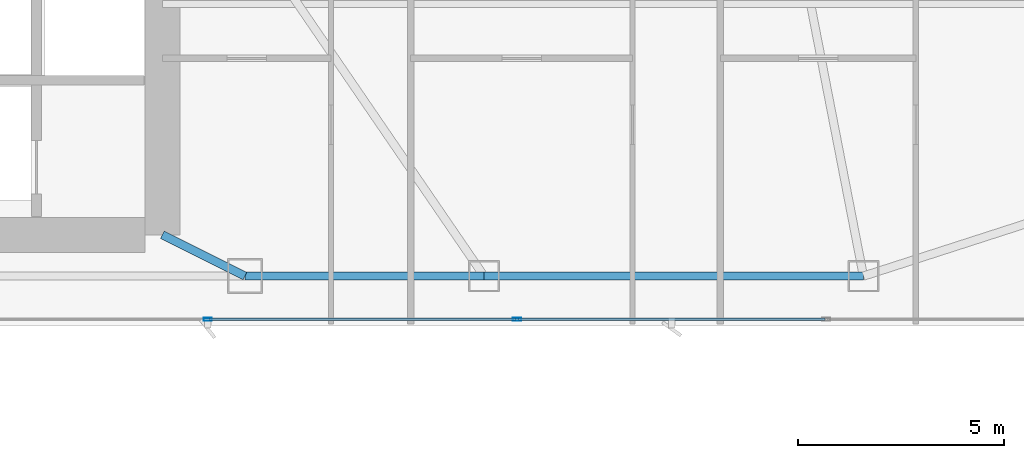
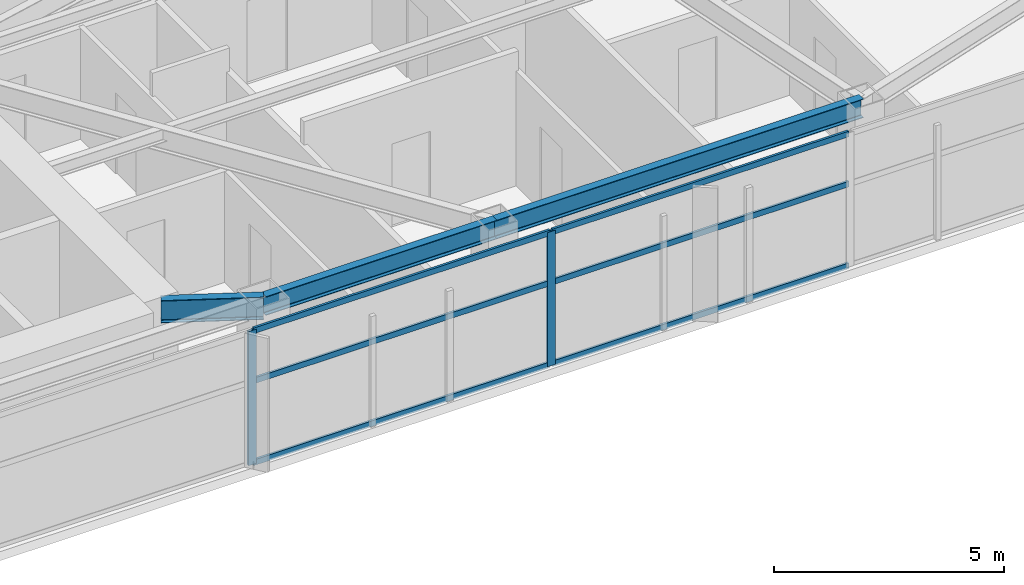
# One storey, part 12 of 28: 8 members, 3 beams, 1 element without a shape of its own.
"""IFC4 building model written with IfcOpenShell, lengths in metres."""

import ifcopenshell
import ifcopenshell.guid

model = None  # the IFC model being written
_history = None  # IfcOwnerHistory: only IFC2X3 demands one
_inside = {}  # id of a spatial element -> (the spatial element, [elements in it])
_under = {}  # id of a project, library or spatial element -> (it, [spatial elements below it])
_declared = {}  # id of a project -> (the project, [libraries it declares])
_typed = {}  # id of a type object -> (the type object, [elements of that type])
_made_of = {}  # id of a material, layer set ... -> (it, [elements and type objects made of it])


def new_model(schema):
    """Start an empty IFC model of exactly this schema.

    Asked for "IFC4X3", IfcOpenShell would pick the latest addendum, in which some entities
    have other attributes; the version numbers below select the first issue.
    IFC2X3 requires an IfcOwnerHistory on every rooted entity: one is made here for all.
    """
    global model, _history
    if schema == "IFC4X3":
        model = ifcopenshell.file(schema_version=(4, 3, 0, 0))
    else:
        model = ifcopenshell.file(schema=schema)
    _inside.clear()
    _under.clear()
    _declared.clear()
    _typed.clear()
    _made_of.clear()
    _history = None
    if model.schema == "IFC2X3":
        org = make("IfcOrganization", Name="unknown")
        user = make(
            "IfcPersonAndOrganization",
            ThePerson=make("IfcPerson", FamilyName="unknown"),
            TheOrganization=org,
        )
        app = make(
            "IfcApplication",
            ApplicationDeveloper=org,
            Version="unknown",
            ApplicationFullName="unknown",
            ApplicationIdentifier="unknown",
        )
        _history = make(
            "IfcOwnerHistory",
            OwningUser=user,
            OwningApplication=app,
            ChangeAction="ADDED",
            CreationDate=0,
        )
    return model


def make(cls, **values):
    """One entity of the class cls with the attributes given. An attribute that is None is left unset."""
    return model.create_entity(
        cls, **{name: value for name, value in values.items() if value is not None}
    )


def rooted(cls, **values):
    """An entity with a GlobalId (a new one), such as an element, a storey or a relation."""
    return make(cls, GlobalId=ifcopenshell.guid.new(), OwnerHistory=_history, **values)


def si_unit(unit_type, name, prefix=None):
    """IfcSIUnit, for example si_unit("LENGTHUNIT", "METRE", prefix="MILLI")."""
    return make("IfcSIUnit", UnitType=unit_type, Prefix=prefix, Name=name)


def assignment(units):
    """IfcUnitAssignment: the units of a project."""
    return None if units is None else make("IfcUnitAssignment", Units=units)


def point(xyz):
    """IfcCartesianPoint."""
    return None if xyz is None else make("IfcCartesianPoint", Coordinates=xyz)


def direction(xyz):
    """IfcDirection."""
    return None if xyz is None else make("IfcDirection", DirectionRatios=xyz)


def frame(location, z_axis=None, x_axis=None):
    """IfcAxis2Placement3D, a coordinate frame: its origin and axes. An axis left out is left unset."""
    return make(
        "IfcAxis2Placement3D",
        Location=point(location),
        Axis=direction(z_axis),
        RefDirection=direction(x_axis),
    )


def frame_2d(location, x_axis=None):
    """IfcAxis2Placement2D, a coordinate frame in the plane: its origin and x axis."""
    return make(
        "IfcAxis2Placement2D", Location=point(location), RefDirection=direction(x_axis)
    )


def origin():
    """The frame at (0, 0, 0) with its axes left unset."""
    return frame((0.0, 0.0, 0.0))


def origin_2d():
    """The frame at (0, 0) in the plane with its x axis left unset."""
    return frame_2d((0.0, 0.0))


def place(relative_to, where):
    """IfcLocalPlacement: puts the frame where relative to a parent placement (None: the world)."""
    return make(
        "IfcLocalPlacement", PlacementRelTo=relative_to, RelativePlacement=where
    )


def context(
    kind, dimensions, precision=None, world=None, true_north=None, identifier=None
):
    """IfcGeometricRepresentationContext, for example the 3D "Model" context."""
    return make(
        "IfcGeometricRepresentationContext",
        ContextIdentifier=identifier,
        ContextType=kind,
        CoordinateSpaceDimension=dimensions,
        Precision=precision,
        WorldCoordinateSystem=world,
        TrueNorth=true_north,
    )


def subcontext(parent, identifier, kind, view, scale=None):
    """IfcGeometricRepresentationSubContext, for example "Body" below "Model"."""
    return make(
        "IfcGeometricRepresentationSubContext",
        ContextIdentifier=identifier,
        ContextType=kind,
        ParentContext=parent,
        TargetScale=scale,
        TargetView=view,
    )


def project(units=None, contexts=None):
    """IfcProject with its units and contexts."""
    return rooted(
        "IfcProject",
        Name="project",
        RepresentationContexts=contexts,
        UnitsInContext=assignment(units),
    )


def spatial(cls, under=None, at=None, **own):
    """A site, building, storey or space (cls), placed at a placement, below another one or the project."""
    s = rooted(cls, ObjectPlacement=at, **own)
    if under is not None:
        _under.setdefault(under.id(), (under, []))[1].append(s)
    return s


def profile(cls, at=None, kind="AREA", **sizes):
    """A parametric profile (cls). Its sizes go by their IFC names, for example OverallWidth=200.0."""
    return make(cls, ProfileType=kind, Position=at, **sizes)


def hollow_rectangle(**sizes):
    """IfcRectangleHollowProfileDef."""
    return profile("IfcRectangleHollowProfileDef", **sizes)


def i_section(**sizes):
    """IfcIShapeProfileDef."""
    return profile("IfcIShapeProfileDef", **sizes)


def extrude(swept, where, along, depth):
    """IfcExtrudedAreaSolid: the profile swept, set in the frame where, extruded along a direction by depth."""
    return make(
        "IfcExtrudedAreaSolid",
        SweptArea=swept,
        Position=where,
        ExtrudedDirection=direction(along),
        Depth=depth,
    )


def shape(context_of_items, identifier, shape_type, items):
    """IfcShapeRepresentation: the items that make up one representation, for example the "Body"."""
    return make(
        "IfcShapeRepresentation",
        ContextOfItems=context_of_items,
        RepresentationIdentifier=identifier,
        RepresentationType=shape_type,
        Items=items,
    )


def material(Name=None, Category=None):
    """IfcMaterial."""
    return make("IfcMaterial", Name=Name, Category=Category)


def layer(
    of_material, thickness, ventilated=None, Name=None, Category=None, Priority=None
):
    """IfcMaterialLayer: one layer of a wall or slab, of a material (None: an air gap)."""
    return make(
        "IfcMaterialLayer",
        Material=of_material,
        LayerThickness=thickness,
        IsVentilated=ventilated,
        Name=Name,
        Category=Category,
        Priority=Priority,
    )


def layer_set(layers, Name=None):
    """IfcMaterialLayerSet."""
    return make("IfcMaterialLayerSet", MaterialLayers=layers, LayerSetName=Name)


def material_profile(
    of_material, cross_section, Name=None, Category=None, Priority=None
):
    """IfcMaterialProfile: a cross section and its material."""
    return make(
        "IfcMaterialProfile",
        Name=Name,
        Material=of_material,
        Profile=cross_section,
        Priority=Priority,
        Category=Category,
    )


def profile_set(profiles, Name=None, composite=None):
    """IfcMaterialProfileSet."""
    return make(
        "IfcMaterialProfileSet",
        Name=Name,
        MaterialProfiles=profiles,
        CompositeProfile=composite,
    )


def made_of(thing, what):
    """Note that an element or type object is made of a material, layer set ...; save() writes the relation."""
    if what is not None:
        _made_of.setdefault(what.id(), (what, []))[1].append(thing)
    return thing


def type_object(cls, material=None, **own):
    """A type object (cls), such as IfcWallType, which elements share."""
    return made_of(rooted(cls, **own), material)


def element(
    cls,
    number,
    at=None,
    inside=None,
    cuts=None,
    type_object=None,
    material=None,
    context=None,
    identifier="Body",
    shape_type=None,
    held_by="IfcProductDefinitionShape",
    body=None,
    shapes=None,
    **own,
):
    """One element of the class cls, such as IfcWall. Its Tag is "e" and its number.

    at: its placement. inside: the storey or other place that contains it. cuts: it is an
    opening in that element (IfcRelVoidsElement). A single representation is given by context,
    identifier, shape_type and body (its items); several are given by shapes. held_by: the class
    of the entity that holds the representations. save() writes the other relations.
    """
    e = rooted(cls, Tag="e%d" % number, ObjectPlacement=at, **own)
    if body is not None:
        shapes = [shape(context, identifier, shape_type, body)]
    if shapes is not None:
        e.Representation = make(held_by, Representations=shapes)
    if inside is not None:
        _inside.setdefault(inside.id(), (inside, []))[1].append(e)
    if cuts is not None:
        rooted(
            "IfcRelVoidsElement", RelatingBuildingElement=cuts, RelatedOpeningElement=e
        )
    if type_object is not None:
        _typed.setdefault(type_object.id(), (type_object, []))[1].append(e)
    return made_of(e, material)


def aggregate(whole, parts):
    """IfcRelAggregates: a whole, such as a stair, and the parts it consists of."""
    return rooted("IfcRelAggregates", RelatingObject=whole, RelatedObjects=parts)


def save(model, path):
    """Write the relations noted so far, then the file.

    IfcRelAggregates (storeys below a building ...), IfcRelContainedInSpatialStructure (elements
    in a storey), IfcRelDefinesByType, IfcRelAssociatesMaterial and IfcRelDeclares: one each for
    every whole, place, type object, material and project.
    """
    for whole, parts in _under.values():
        aggregate(whole, parts)
    for where, things in _inside.values():
        rooted(
            "IfcRelContainedInSpatialStructure",
            RelatedElements=things,
            RelatingStructure=where,
        )
    for kind, things in _typed.values():
        rooted("IfcRelDefinesByType", RelatedObjects=things, RelatingType=kind)
    for what, things in _made_of.values():
        rooted("IfcRelAssociatesMaterial", RelatedObjects=things, RelatingMaterial=what)
    for by, libraries in _declared.values():
        rooted("IfcRelDeclares", RelatingContext=by, RelatedDefinitions=libraries)
    model.write(path)


model = new_model("IFC4")

# Units and contexts
model_context = context("Model", 3, precision=1e-05, world=origin(), true_north=direction((0.0, 1.0)))
body_context = subcontext(model_context, "Body", "Model", "MODEL_VIEW")
ifc_project = project(units=[si_unit("LENGTHUNIT", "METRE"), si_unit("AREAUNIT", "SQUARE_METRE"), si_unit("VOLUMEUNIT", "CUBIC_METRE"), si_unit("PLANEANGLEUNIT", "RADIAN"), si_unit("MASSUNIT", "GRAM", prefix="KILO")], contexts=[model_context])

# Site, building, storey
site_placement = place(None, origin())
site = spatial("IfcSite", under=ifc_project, at=site_placement, CompositionType="ELEMENT")
building_placement = place(site_placement, origin())
building = spatial("IfcBuilding", under=site, at=building_placement, Name="Calvorn Quay Hotel", CompositionType="ELEMENT")
storey_placement = place(building_placement, frame((0.0, 0.0, 156.10009765625)))
storey = spatial("IfcBuildingStorey", under=building, at=storey_placement, Name="L38", CompositionType="ELEMENT", Elevation=156.10009765625)

# Beams
ifc_material_1 = material(Name="Steel Q355B", Category="steel")
ifc_material_profile_1 = material_profile(ifc_material_1, i_section(OverallWidth=0.199951171875, OverallDepth=0.60009765625, WebThickness=0.010986328125, FlangeThickness=0.01708984375, FilletRadius=0.01806640625, at=origin_2d()), Name="HN600x200x11x17")
ifc_profile_set_1 = profile_set([ifc_material_profile_1], Name="Steel Q355B")
beam_type_1 = type_object("IfcBeamType", Name="BM-GIRD-TYP", PredefinedType="BEAM", material=ifc_profile_set_1)
beam_1_placement = place(storey_placement, frame((34.39990234375, 3.60009765625, 3.239990234375), z_axis=(-0.894427191, 0.4472135955, 0.0), x_axis=(-0.4472135955, -0.894427191, 0.0)))
element("IfcBeam", 1, at=beam_1_placement, inside=storey, type_object=beam_type_1, Name="Beam BG-L38-S3", PredefinedType="BEAM", context=body_context, shape_type="SweptSolid", body=[
    extrude(i_section(OverallWidth=0.199951171875, OverallDepth=0.60009765625, WebThickness=0.010986328125, FlangeThickness=0.01708984375, FilletRadius=0.01806640625, at=origin_2d()), origin(), (0.0, 0.0, 1.0), 2.236083984375),
])
ifc_material_2 = material(Name="Steel Q355B", Category="steel")
ifc_material_profile_2 = material_profile(ifc_material_2, i_section(OverallWidth=0.199951171875, OverallDepth=0.5, WebThickness=0.010009765625, FlangeThickness=0.01611328125, FilletRadius=0.01611328125, at=origin_2d()), Name="HN500x200x10x16")
ifc_profile_set_2 = profile_set([ifc_material_profile_2], Name="Steel Q355B")
beam_type_2 = type_object("IfcBeamType", Name="BM-SPANDREL-Z1", PredefinedType="SPANDREL", material=ifc_profile_set_2)
beam_2_placement = place(storey_placement, frame((34.39990234375, 3.60009765625, 3.289794921875), z_axis=(1.0, 0.0, 0.0), x_axis=(0.0, 1.0, 0.0)))
element("IfcBeam", 2, at=beam_2_placement, inside=storey, type_object=beam_type_2, Name="Beam BSP-L38-S4", PredefinedType="SPANDREL", context=body_context, shape_type="SweptSolid", body=[
    extrude(i_section(OverallWidth=0.199951171875, OverallDepth=0.5, WebThickness=0.010009765625, FlangeThickness=0.01611328125, FilletRadius=0.01611328125, at=origin_2d()), origin(), (0.0, 0.0, 1.0), 5.800048828125),
])
beam_3_placement = place(storey_placement, frame((40.199951171875, 3.60009765625, 3.289794921875), z_axis=(1.0, 0.0, 0.0), x_axis=(0.0, 1.0, 0.0)))
element("IfcBeam", 3, at=beam_3_placement, inside=storey, type_object=beam_type_2, Name="Beam BSP-L38-S5", PredefinedType="SPANDREL", context=body_context, shape_type="SweptSolid", body=[
    extrude(i_section(OverallWidth=0.199951171875, OverallDepth=0.5, WebThickness=0.010009765625, FlangeThickness=0.01611328125, FilletRadius=0.01611328125, at=origin_2d()), origin(), (0.0, 0.0, 1.0), 9.199951171875),
])

# Curtain wall, members
ifc_material_3 = material(Name="Pale Anodised Aluminium and Low-E Glass", Category="aluminium")
ifc_layer = layer(ifc_material_3, 0.219970703125)
ifc_layer_set = layer_set([ifc_layer], Name="CW-SYS-Z2")
curtain_wall_type = type_object("IfcCurtainWallType", Name="CW-SYS-Z2", PredefinedType="NOTDEFINED", material=ifc_layer_set)
curtain_wall_placement = place(storey_placement, origin())
curtain_wall = element("IfcCurtainWall", 4, at=curtain_wall_placement, inside=storey, type_object=curtain_wall_type, Name="Tower South Waterfront Curtain Wall (L38)", PredefinedType="NOTDEFINED")
ifc_material_4 = material(Name="Pale Anodised Aluminium 6063-T6", Category="aluminium")
ifc_material_profile_3 = material_profile(ifc_material_4, hollow_rectangle(XDim=0.070068359375, YDim=0.199951171875, WallThickness=0.00390625, at=origin_2d()), Name="ALU-M200x70x4")
ifc_profile_set_3 = profile_set([ifc_material_profile_3], Name="Pale Anodised Aluminium 6063-T6")
member_type_1 = type_object("IfcMemberType", Name="CW-SYS-Z2-MUL", PredefinedType="MULLION", material=ifc_profile_set_3)
member_1_placement = place(storey_placement, frame((33.5, 2.550048828125, 0.0), z_axis=(0.0, 0.0, 1.0), x_axis=(0.0, 1.0, 0.0)))
member_1 = element("IfcMember", 5, at=member_1_placement, type_object=member_type_1, Name="CW-L38-S mullion 4", PredefinedType="MULLION", context=body_context, shape_type="SweptSolid", body=[
    extrude(hollow_rectangle(XDim=0.070068359375, YDim=0.199951171875, WallThickness=0.00390625, at=origin_2d()), origin(), (0.0, 0.0, 1.0), 3.559814453125),
])
member_2_placement = place(storey_placement, frame((41.0, 2.550048828125, 0.0), z_axis=(0.0, 0.0, 1.0), x_axis=(0.0, 1.0, 0.0)))
member_2 = element("IfcMember", 6, at=member_2_placement, type_object=member_type_1, Name="CW-L38-S mullion 5", PredefinedType="MULLION", context=body_context, shape_type="SweptSolid", body=[
    extrude(hollow_rectangle(XDim=0.070068359375, YDim=0.199951171875, WallThickness=0.00390625, at=origin_2d()), origin(), (0.0, 0.0, 1.0), 3.559814453125),
])
ifc_material_5 = material(Name="Pale Anodised Aluminium 6063-T6", Category="aluminium")
ifc_material_profile_4 = material_profile(ifc_material_5, hollow_rectangle(XDim=0.06005859375, YDim=0.14990234375, WallThickness=0.00341796875, at=origin_2d()), Name="ALU-T150x60x3.5")
ifc_profile_set_4 = profile_set([ifc_material_profile_4], Name="Pale Anodised Aluminium 6063-T6")
member_type_2 = type_object("IfcMemberType", Name="CW-SYS-Z2-TRN", PredefinedType="USERDEFINED", material=ifc_profile_set_4)
member_3_placement = place(storey_placement, frame((33.530029296875, 2.550048828125, 0.02978515625), z_axis=(1.0, 0.0, 0.0), x_axis=(0.0, 1.0, 0.0)))
member_3 = element("IfcMember", 7, at=member_3_placement, type_object=member_type_2, Name="CW-L38-S transom 4.1", ObjectType="TRANSOM", PredefinedType="USERDEFINED", context=body_context, shape_type="SweptSolid", body=[
    extrude(hollow_rectangle(XDim=0.06005859375, YDim=0.14990234375, WallThickness=0.00341796875, at=origin_2d()), origin(), (0.0, 0.0, 1.0), 7.43994140625),
])
member_4_placement = place(storey_placement, frame((33.530029296875, 2.550048828125, 2.199951171875), z_axis=(1.0, 0.0, 0.0), x_axis=(0.0, 1.0, 0.0)))
member_4 = element("IfcMember", 8, at=member_4_placement, type_object=member_type_2, Name="CW-L38-S transom 4.2", ObjectType="TRANSOM", PredefinedType="USERDEFINED", context=body_context, shape_type="SweptSolid", body=[
    extrude(hollow_rectangle(XDim=0.06005859375, YDim=0.14990234375, WallThickness=0.00341796875, at=origin_2d()), origin(), (0.0, 0.0, 1.0), 7.43994140625),
])
member_5_placement = place(storey_placement, frame((33.530029296875, 2.550048828125, 3.52978515625), z_axis=(1.0, 0.0, 0.0), x_axis=(0.0, 1.0, 0.0)))
member_5 = element("IfcMember", 9, at=member_5_placement, type_object=member_type_2, Name="CW-L38-S transom 4.3", ObjectType="TRANSOM", PredefinedType="USERDEFINED", context=body_context, shape_type="SweptSolid", body=[
    extrude(hollow_rectangle(XDim=0.06005859375, YDim=0.14990234375, WallThickness=0.00341796875, at=origin_2d()), origin(), (0.0, 0.0, 1.0), 7.43994140625),
])
member_6_placement = place(storey_placement, frame((41.030029296875, 2.550048828125, 0.02978515625), z_axis=(1.0, 0.0, 0.0), x_axis=(0.0, 1.0, 0.0)))
member_6 = element("IfcMember", 10, at=member_6_placement, type_object=member_type_2, Name="CW-L38-S transom 5.1", ObjectType="TRANSOM", PredefinedType="USERDEFINED", context=body_context, shape_type="SweptSolid", body=[
    extrude(hollow_rectangle(XDim=0.06005859375, YDim=0.14990234375, WallThickness=0.00341796875, at=origin_2d()), origin(), (0.0, 0.0, 1.0), 7.43994140625),
])
member_7_placement = place(storey_placement, frame((41.030029296875, 2.550048828125, 2.199951171875), z_axis=(1.0, 0.0, 0.0), x_axis=(0.0, 1.0, 0.0)))
member_7 = element("IfcMember", 11, at=member_7_placement, type_object=member_type_2, Name="CW-L38-S transom 5.2", ObjectType="TRANSOM", PredefinedType="USERDEFINED", context=body_context, shape_type="SweptSolid", body=[
    extrude(hollow_rectangle(XDim=0.06005859375, YDim=0.14990234375, WallThickness=0.00341796875, at=origin_2d()), origin(), (0.0, 0.0, 1.0), 7.43994140625),
])
member_8_placement = place(storey_placement, frame((41.030029296875, 2.550048828125, 3.52978515625), z_axis=(1.0, 0.0, 0.0), x_axis=(0.0, 1.0, 0.0)))
member_8 = element("IfcMember", 12, at=member_8_placement, type_object=member_type_2, Name="CW-L38-S transom 5.3", ObjectType="TRANSOM", PredefinedType="USERDEFINED", context=body_context, shape_type="SweptSolid", body=[
    extrude(hollow_rectangle(XDim=0.06005859375, YDim=0.14990234375, WallThickness=0.00341796875, at=origin_2d()), origin(), (0.0, 0.0, 1.0), 7.43994140625),
])
aggregate(curtain_wall, [member_1, member_2, member_3, member_4, member_5, member_6, member_7, member_8])

save(model, "model.ifc")
